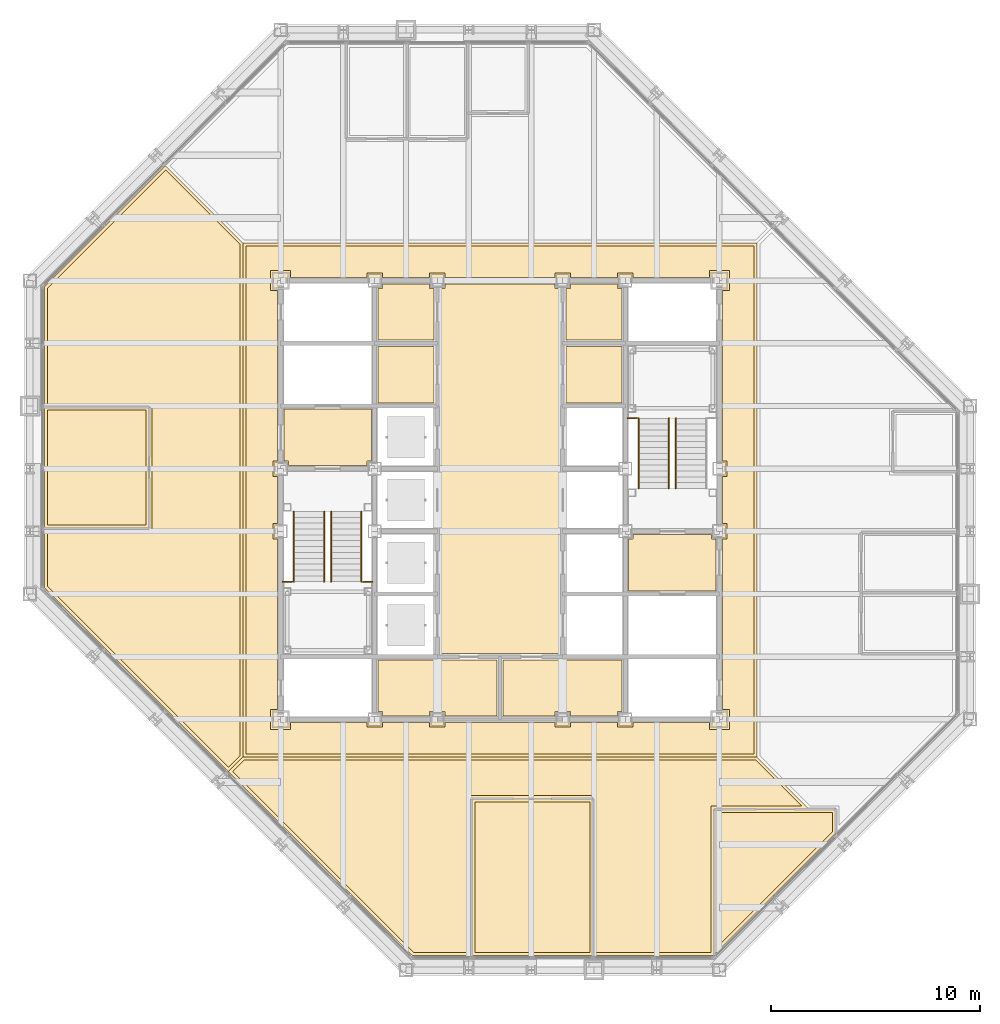
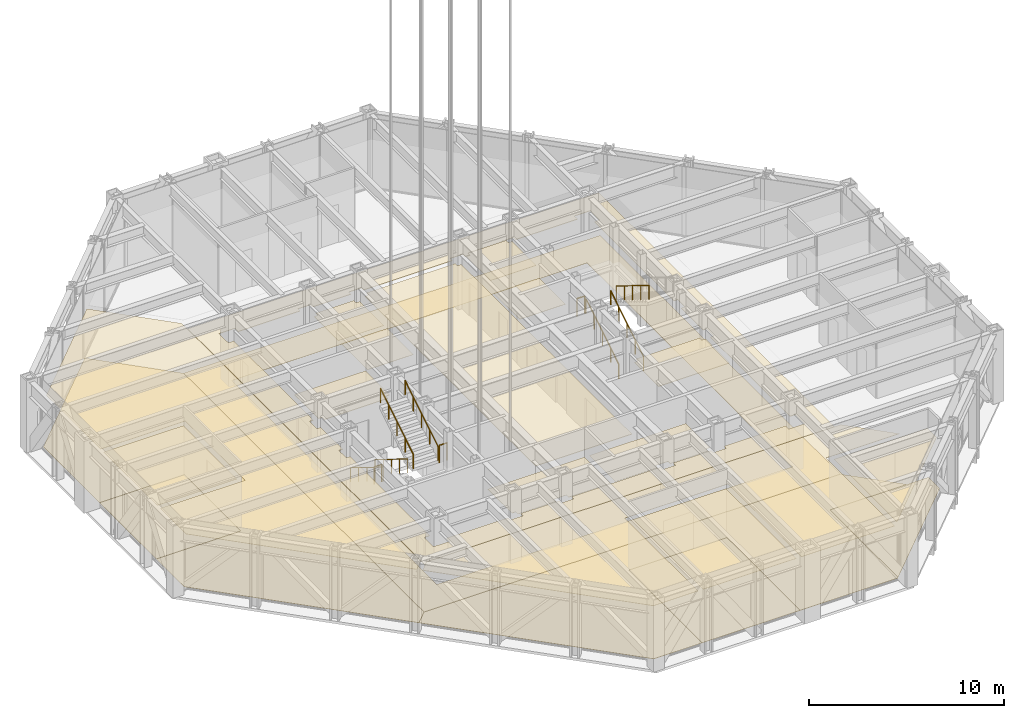
# One storey, part 14 of 24: 21 coverings, 10 railings.
"""IFC4 building model written with IfcOpenShell, lengths in metres."""

from ifc_helpers import new_model, si_unit, direction, frame, origin, origin_2d, place, context, subcontext, project, spatial, polyline, circle, outline, extrude, material, layer, layer_set, type_object, element, save


model = new_model("IFC4")

# Units and contexts
model_context = context("Model", 3, precision=1e-05, world=origin(), true_north=direction((0.0, 1.0)))
body_context = subcontext(model_context, "Body", "Model", "MODEL_VIEW")
ifc_project = project(units=[si_unit("LENGTHUNIT", "METRE"), si_unit("AREAUNIT", "SQUARE_METRE"), si_unit("VOLUMEUNIT", "CUBIC_METRE"), si_unit("PLANEANGLEUNIT", "RADIAN"), si_unit("MASSUNIT", "GRAM", prefix="KILO")], contexts=[model_context])

# Site, building, storey
site_placement = place(None, origin())
site = spatial("IfcSite", under=ifc_project, at=site_placement, CompositionType="ELEMENT")
building_placement = place(site_placement, origin())
building = spatial("IfcBuilding", under=site, at=building_placement, Name="Chuquiago Exchange Tower", CompositionType="ELEMENT")
storey_placement = place(building_placement, frame((0.0, 0.0, 180.0)))
storey = spatial("IfcBuildingStorey", under=building, at=storey_placement, Name="L39", CompositionType="ELEMENT", Elevation=180.0)

# Coverings
ifc_material_1 = material(Name="Mineral fibre tile, 600 x 600, on pale metal grid", Category="mineral fibre")
ifc_layer_1 = layer(ifc_material_1, 0.02001953125)
ifc_layer_set_1 = layer_set([ifc_layer_1], Name="CL1 suspended tile ceiling 20")
covering_type_1 = type_object("IfcCoveringType", Name="CL1 suspended tile ceiling 20", PredefinedType="CEILING", material=ifc_layer_set_1)
covering_1_placement = place(storey_placement, frame((0.0, 0.0, 3.199951171875)))
element("IfcCovering", 1, at=covering_1_placement, inside=storey, type_object=covering_type_1, Name="Ceiling Training room", PredefinedType="CEILING", context=body_context, shape_type="SweptSolid", body=[
    extrude(outline(polyline([(21.299072265625, 8.050048828125), (26.80029296875, 8.050048828125), (26.80029296875, 0.85009765625), (21.299072265625, 0.85009765625), (21.299072265625, 8.050048828125)])), origin(), (0.0, 0.0, 1.0), 0.02001953125),
])
covering_2_placement = place(storey_placement, frame((0.0, 0.0, 3.199951171875)))
element("IfcCovering", 2, at=covering_2_placement, inside=storey, type_object=covering_type_1, Name="Ceiling Broker lounge", PredefinedType="CEILING", context=body_context, shape_type="SweptSolid", body=[
    extrude(outline(polyline([(32.901611328125, 7.550048828125), (38.42578125, 7.550048828125), (38.42578125, 6.627685546875), (32.901611328125, 1.103515625), (32.901611328125, 7.550048828125)])), origin(), (0.0, 0.0, 1.0), 0.02001953125),
])
covering_3_placement = place(storey_placement, frame((0.0, 0.0, 3.199951171875)))
element("IfcCovering", 3, at=covering_3_placement, inside=storey, type_object=covering_type_1, Name="Ceiling Conference room", PredefinedType="CEILING", context=body_context, shape_type="SweptSolid", body=[
    extrude(outline(polyline([(5.550048828125, 26.80029296875), (5.550048828125, 21.299072265625), (0.85009765625, 21.299072265625), (0.85009765625, 26.80029296875), (5.550048828125, 26.80029296875)])), origin(), (0.0, 0.0, 1.0), 0.02001953125),
])
covering_4_placement = place(storey_placement, frame((0.0, 0.0, 3.199951171875)))
element("IfcCovering", 4, at=covering_4_placement, inside=storey, type_object=covering_type_1, Name="Ceiling Business centre", PredefinedType="CEILING", context=body_context, shape_type="SweptSolid", body=[
    extrude(outline(polyline([(27.100341796875, 0.85009765625), (27.100341796875, 8.35009765625), (20.9990234375, 8.35009765625), (20.9990234375, 0.85009765625), (18.35205078125, 0.85009765625), (9.70703125, 9.4951171875), (10.26220703125, 10.050048828125), (34.73779296875, 10.050048828125), (36.93798828125, 7.85009765625), (32.6015625, 7.85009765625), (32.6015625, 0.85009765625), (27.100341796875, 0.85009765625)])), origin(), (0.0, 0.0, 1.0), 0.02001953125),
])
covering_5_placement = place(storey_placement, frame((0.0, 0.0, 3.199951171875)))
element("IfcCovering", 5, at=covering_5_placement, inside=storey, type_object=covering_type_1, Name="Ceiling Member services office", PredefinedType="CEILING", context=body_context, shape_type="SweptSolid", body=[
    extrude(outline(polyline([(0.85009765625, 27.100341796875), (0.85009765625, 32.64794921875), (6.4951171875, 38.29296875), (10.050048828125, 34.73779296875), (10.050048828125, 10.26220703125), (9.4951171875, 9.70703125), (0.85009765625, 18.35205078125), (0.85009765625, 20.9990234375), (5.85009765625, 20.9990234375), (5.85009765625, 27.100341796875), (0.85009765625, 27.100341796875)])), origin(), (0.0, 0.0, 1.0), 0.02001953125),
])
covering_6_placement = place(storey_placement, frame((0.0, 0.0, 3.199951171875)))
element("IfcCovering", 6, at=covering_6_placement, inside=storey, type_object=covering_type_1, Name="Ceiling Baby change room", PredefinedType="CEILING", context=body_context, shape_type="SweptSolid", body=[
    extrude(outline(polyline([(25.64990234375, 30.14990234375), (25.64990234375, 32.625), (25.875, 32.625), (25.875, 32.85009765625), (28.125, 32.85009765625), (28.125, 32.625), (28.35009765625, 32.625), (28.35009765625, 30.14990234375), (25.64990234375, 30.14990234375)])), origin(), (0.0, 0.0, 1.0), 0.02001953125),
])
ifc_material_2 = material(Name="Moisture resistant plasterboard on metal frame", Category="gypsum")
ifc_layer_2 = layer(ifc_material_2, 0.014892578125)
ifc_layer_set_2 = layer_set([ifc_layer_2], Name="CL2 moisture resistant ceiling 15")
covering_type_2 = type_object("IfcCoveringType", Name="CL2 moisture resistant ceiling 15", PredefinedType="CEILING", material=ifc_layer_set_2)
covering_7_placement = place(storey_placement, frame((0.0, 0.0, 2.60009765625)))
element("IfcCovering", 7, at=covering_7_placement, inside=storey, type_object=covering_type_2, Name="Ceiling Male WC", PredefinedType="CEILING", context=body_context, shape_type="SweptSolid", body=[
    extrude(outline(polyline([(16.64990234375, 27.14990234375), (16.64990234375, 29.85009765625), (19.35009765625, 29.85009765625), (19.35009765625, 27.14990234375), (16.64990234375, 27.14990234375)])), origin(), (0.0, 0.0, 1.0), 0.014892578125),
])
covering_8_placement = place(storey_placement, frame((0.0, 0.0, 2.60009765625)))
element("IfcCovering", 8, at=covering_8_placement, inside=storey, type_object=covering_type_2, Name="Ceiling Staff shower room", PredefinedType="CEILING", context=body_context, shape_type="SweptSolid", body=[
    extrude(outline(polyline([(16.64990234375, 30.14990234375), (16.64990234375, 32.625), (16.875, 32.625), (16.875, 32.85009765625), (19.125, 32.85009765625), (19.125, 32.625), (19.35009765625, 32.625), (19.35009765625, 30.14990234375), (16.64990234375, 30.14990234375)])), origin(), (0.0, 0.0, 1.0), 0.014892578125),
])
covering_9_placement = place(storey_placement, frame((0.0, 0.0, 2.60009765625)))
element("IfcCovering", 9, at=covering_9_placement, inside=storey, type_object=covering_type_2, Name="Ceiling Female WC", PredefinedType="CEILING", context=body_context, shape_type="SweptSolid", body=[
    extrude(outline(polyline([(25.64990234375, 27.14990234375), (25.64990234375, 29.85009765625), (28.35009765625, 29.85009765625), (28.35009765625, 27.14990234375), (25.64990234375, 27.14990234375)])), origin(), (0.0, 0.0, 1.0), 0.014892578125),
])
covering_10_placement = place(storey_placement, frame((0.0, 0.0, 2.60009765625)))
element("IfcCovering", 10, at=covering_10_placement, inside=storey, type_object=covering_type_2, Name="Ceiling Accessible WC", PredefinedType="CEILING", context=body_context, shape_type="SweptSolid", body=[
    extrude(outline(polyline([(25.875, 12.14990234375), (25.875, 12.375), (25.125, 12.375), (25.125, 12.14990234375), (22.64990234375, 12.14990234375), (22.64990234375, 14.85009765625), (28.35009765625, 14.85009765625), (28.35009765625, 12.375), (28.125, 12.375), (28.125, 12.14990234375), (25.875, 12.14990234375)])), origin(), (0.0, 0.0, 1.0), 0.014892578125),
])
covering_11_placement = place(storey_placement, frame((0.0, 0.0, 2.60009765625)))
element("IfcCovering", 11, at=covering_11_placement, inside=storey, type_object=covering_type_2, Name="Ceiling Cleaner", PredefinedType="CEILING", context=body_context, shape_type="SweptSolid", body=[
    extrude(outline(polyline([(19.875, 12.14990234375), (19.875, 12.375), (19.125, 12.375), (19.125, 12.14990234375), (16.875, 12.14990234375), (16.875, 12.375), (16.64990234375, 12.375), (16.64990234375, 14.85009765625), (22.35009765625, 14.85009765625), (22.35009765625, 12.14990234375), (19.875, 12.14990234375)])), origin(), (0.0, 0.0, 1.0), 0.014892578125),
])
ifc_material_3 = material(Name="Pale metal plank ceiling, perforated", Category="aluminium")
ifc_layer_3 = layer(ifc_material_3, 0.030029296875)
ifc_layer_set_3 = layer_set([ifc_layer_3], Name="CL3 metal plank ceiling 30")
covering_type_3 = type_object("IfcCoveringType", Name="CL3 metal plank ceiling 30", PredefinedType="CEILING", material=ifc_layer_set_3)
covering_12_placement = place(storey_placement, frame((0.0, 0.0, 2.800048828125)))
element("IfcCovering", 12, at=covering_12_placement, inside=storey, type_object=covering_type_3, Name="Ceiling Sky lobby", PredefinedType="CEILING", context=body_context, shape_type="SweptSolid", body=[
    extrude(outline(polyline([(10.35009765625, 34.64990234375), (34.64990234375, 34.64990234375), (34.64990234375, 10.35009765625), (10.35009765625, 10.35009765625), (10.35009765625, 34.64990234375)]), holes=[polyline([(16.125, 11.85009765625), (16.125, 11.625), (16.875, 11.625), (16.875, 11.85009765625), (19.125, 11.85009765625), (19.125, 11.625), (19.875, 11.625), (19.875, 11.85009765625), (25.125, 11.85009765625), (25.125, 11.625), (25.875, 11.625), (25.875, 11.85009765625), (28.125, 11.85009765625), (28.125, 11.625), (28.875, 11.625), (28.875, 11.85009765625), (32.52490234375, 11.85009765625), (32.52490234375, 11.52490234375), (33.47509765625, 11.52490234375), (33.47509765625, 12.47509765625), (33.14990234375, 12.47509765625), (33.14990234375, 20.625), (33.375, 20.625), (33.375, 21.375), (33.14990234375, 21.375), (33.14990234375, 23.625), (33.375, 23.625), (33.375, 24.375), (33.14990234375, 24.375), (33.14990234375, 32.52490234375), (33.47509765625, 32.52490234375), (33.47509765625, 33.47509765625), (32.52490234375, 33.47509765625), (32.52490234375, 33.14990234375), (28.875, 33.14990234375), (28.875, 33.375), (28.125, 33.375), (28.125, 33.14990234375), (25.875, 33.14990234375), (25.875, 33.375), (25.125, 33.375), (25.125, 33.14990234375), (19.875, 33.14990234375), (19.875, 33.375), (19.125, 33.375), (19.125, 33.14990234375), (16.875, 33.14990234375), (16.875, 33.375), (16.125, 33.375), (16.125, 33.14990234375), (12.47509765625, 33.14990234375), (12.47509765625, 33.47509765625), (11.52490234375, 33.47509765625), (11.52490234375, 32.52490234375), (11.85009765625, 32.52490234375), (11.85009765625, 24.375), (11.625, 24.375), (11.625, 23.625), (11.85009765625, 23.625), (11.85009765625, 21.375), (11.625, 21.375), (11.625, 20.625), (11.85009765625, 20.625), (11.85009765625, 12.47509765625), (11.52490234375, 12.47509765625), (11.52490234375, 11.52490234375), (12.47509765625, 11.52490234375), (12.47509765625, 11.85009765625), (16.125, 11.85009765625)])]), origin(), (0.0, 0.0, 1.0), 0.030029296875),
])
covering_13_placement = place(storey_placement, frame((0.0, 0.0, 2.800048828125)))
element("IfcCovering", 13, at=covering_13_placement, inside=storey, type_object=covering_type_3, Name="Ceiling Lift lobby", PredefinedType="CEILING", context=body_context, shape_type="SweptSolid", body=[
    extrude(outline(polyline([(19.64990234375, 15.14990234375), (19.64990234375, 32.625), (19.875, 32.625), (19.875, 32.85009765625), (25.125, 32.85009765625), (25.125, 32.625), (25.35009765625, 32.625), (25.35009765625, 15.14990234375), (19.64990234375, 15.14990234375)])), origin(), (0.0, 0.0, 1.0), 0.030029296875),
])
covering_14_placement = place(storey_placement, frame((0.0, 0.0, 2.800048828125)))
element("IfcCovering", 14, at=covering_14_placement, inside=storey, type_object=covering_type_3, Name="Ceiling Firefighting lobby", PredefinedType="CEILING", context=body_context, shape_type="SweptSolid", body=[
    extrude(outline(polyline([(12.375, 24.14990234375), (12.375, 24.375), (12.14990234375, 24.375), (12.14990234375, 26.85009765625), (16.35009765625, 26.85009765625), (16.35009765625, 24.375), (16.125, 24.375), (16.125, 24.14990234375), (12.375, 24.14990234375)])), origin(), (0.0, 0.0, 1.0), 0.030029296875),
])
covering_15_placement = place(storey_placement, frame((0.0, 0.0, 2.800048828125)))
element("IfcCovering", 15, at=covering_15_placement, inside=storey, type_object=covering_type_3, Name="Ceiling Firefighting lobby", PredefinedType="CEILING", context=body_context, shape_type="SweptSolid", body=[
    extrude(outline(polyline([(28.64990234375, 18.14990234375), (28.64990234375, 20.625), (28.875, 20.625), (28.875, 20.85009765625), (32.625, 20.85009765625), (32.625, 20.625), (32.85009765625, 20.625), (32.85009765625, 18.14990234375), (28.64990234375, 18.14990234375)])), origin(), (0.0, 0.0, 1.0), 0.030029296875),
])
ifc_material_4 = material(Name="Porcelain floor tile, 600 x 600, on adhesive bed", Category="ceramic")
ifc_layer_4 = layer(ifc_material_4, 0.014892578125)
ifc_layer_set_4 = layer_set([ifc_layer_4], Name="FL2 porcelain tile 15")
covering_type_4 = type_object("IfcCoveringType", Name="FL2 porcelain tile 15", PredefinedType="FLOORING", material=ifc_layer_set_4)
covering_16_placement = place(storey_placement, origin())
element("IfcCovering", 16, at=covering_16_placement, inside=storey, type_object=covering_type_4, Name="Floor finish Training room", PredefinedType="FLOORING", context=body_context, shape_type="SweptSolid", body=[
    extrude(outline(polyline([(21.149169921875, 0.699951171875), (21.149169921875, 8.199951171875), (26.9501953125, 8.199951171875), (26.9501953125, 0.699951171875), (21.149169921875, 0.699951171875)])), origin(), (0.0, 0.0, 1.0), 0.014892578125),
])
covering_17_placement = place(storey_placement, origin())
element("IfcCovering", 17, at=covering_17_placement, inside=storey, type_object=covering_type_4, Name="Floor finish Broker lounge", PredefinedType="FLOORING", context=body_context, shape_type="SweptSolid", body=[
    extrude(outline(polyline([(32.75146484375, 0.741455078125), (32.75146484375, 7.699951171875), (38.57568359375, 7.699951171875), (38.57568359375, 6.565673828125), (32.75146484375, 0.741455078125)])), origin(), (0.0, 0.0, 1.0), 0.014892578125),
])
covering_18_placement = place(storey_placement, origin())
element("IfcCovering", 18, at=covering_18_placement, inside=storey, type_object=covering_type_4, Name="Floor finish Conference room", PredefinedType="FLOORING", context=body_context, shape_type="SweptSolid", body=[
    extrude(outline(polyline([(0.699951171875, 26.9501953125), (5.699951171875, 26.9501953125), (5.699951171875, 21.149169921875), (0.699951171875, 21.149169921875), (0.699951171875, 26.9501953125)])), origin(), (0.0, 0.0, 1.0), 0.014892578125),
])
covering_19_placement = place(storey_placement, origin())
element("IfcCovering", 19, at=covering_19_placement, inside=storey, type_object=covering_type_4, Name="Floor finish Sky lobby", PredefinedType="FLOORING", context=body_context, shape_type="SweptSolid", body=[
    extrude(outline(polyline([(10.199951171875, 10.199951171875), (10.199951171875, 34.800048828125), (34.800048828125, 34.800048828125), (34.800048828125, 10.199951171875), (10.199951171875, 10.199951171875)]), holes=[polyline([(12.0, 12.0), (33.0, 12.0), (33.0, 33.0), (12.0, 33.0), (12.0, 12.0)])]), origin(), (0.0, 0.0, 1.0), 0.014892578125),
])
covering_20_placement = place(storey_placement, origin())
element("IfcCovering", 20, at=covering_20_placement, inside=storey, type_object=covering_type_4, Name="Floor finish Business centre", PredefinedType="FLOORING", context=body_context, shape_type="SweptSolid", body=[
    extrude(outline(polyline([(32.75146484375, 7.699951171875), (32.75146484375, 0.741455078125), (32.710205078125, 0.699951171875), (26.9501953125, 0.699951171875), (26.9501953125, 8.199951171875), (21.149169921875, 8.199951171875), (21.149169921875, 0.699951171875), (18.289794921875, 0.699951171875), (9.4951171875, 9.4951171875), (10.199951171875, 10.199951171875), (34.800048828125, 10.199951171875), (37.300048828125, 7.699951171875), (32.75146484375, 7.699951171875)])), origin(), (0.0, 0.0, 1.0), 0.014892578125),
])
covering_21_placement = place(storey_placement, origin())
element("IfcCovering", 21, at=covering_21_placement, inside=storey, type_object=covering_type_4, Name="Floor finish Member services office", PredefinedType="FLOORING", context=body_context, shape_type="SweptSolid", body=[
    extrude(outline(polyline([(5.699951171875, 26.9501953125), (0.699951171875, 26.9501953125), (0.699951171875, 32.710205078125), (6.4951171875, 38.5048828125), (10.199951171875, 34.800048828125), (10.199951171875, 10.199951171875), (9.4951171875, 9.4951171875), (0.699951171875, 18.289794921875), (0.699951171875, 21.149169921875), (5.699951171875, 21.149169921875), (5.699951171875, 26.9501953125)])), origin(), (0.0, 0.0, 1.0), 0.014892578125),
])

# Railings
ifc_material_5 = material(Name="Pale metal guard with safety glass infill", Category="glass")
railing_type_1 = type_object("IfcRailingType", Name="GR1 guard 1100", PredefinedType="GUARDRAIL", material=ifc_material_5)
for number, where, name in (
    (22, (12.10009765625, 18.590087890625, 2.25), "Guard ST1 L39 landing 2"),
    (23, (15.945068359375, 18.590087890625, 2.25), "Guard ST1 L39 landing 2"),
    (24, (28.60009765625, 26.409912109375, 2.25), "Guard ST2 L39 landing 2"),
):
    element("IfcRailing", number, at=place(storey_placement, frame(where)), inside=storey, type_object=railing_type_1, Name=name, PredefinedType="GUARDRAIL", context=body_context, shape_type="SweptSolid", body=[
        extrude(circle(Radius=0.02392578125, at=origin_2d()), frame((0.0, 0.0, 1.076171875), z_axis=(1.0, 0.0, 0.0), x_axis=(0.0, 1.0, 0.0)), (0.0, 0.0, 1.0), 0.454833984375),
        extrude(circle(Radius=0.02099609375, at=origin_2d()), origin(), (0.0, 0.0, 1.0), 1.052001953125),
        extrude(circle(Radius=0.02099609375, at=origin_2d()), frame((0.454833984375, 0.0, 0.0)), (0.0, 0.0, 1.0), 1.052001953125),
    ])
ifc_material_6 = material(Name="Pale metal handrail", Category="steel")
railing_type_2 = type_object("IfcRailingType", Name="HR1 handrail 900", PredefinedType="HANDRAIL", material=ifc_material_6)
for number, where, name in (
    (25, (12.635009765625, 21.949951171875, 0.173095703125), "Handrail ST1 L39 flight 1"),
    (26, (14.0849609375, 21.949951171875, 0.173095703125), "Handrail ST1 L39 flight 1"),
):
    element("IfcRailing", number, at=place(storey_placement, frame(where)), inside=storey, type_object=railing_type_2, Name=name, PredefinedType="HANDRAIL", context=body_context, shape_type="SweptSolid", body=[
        extrude(circle(Radius=0.02392578125, at=origin_2d()), frame((0.0, 0.0, 0.8759765625), z_axis=(0.0, -0.850606129759, 0.525803396734), x_axis=(1.0, 0.0, 0.0)), (0.0, 0.0, 1.0), 3.949951171875),
        extrude(circle(Radius=0.02099609375, at=origin_2d()), origin(), (0.0, 0.0, 1.0), 0.851806640625),
        extrude(circle(Radius=0.02099609375, at=origin_2d()), frame((0.0, -0.83984375, 0.519287109375)), (0.0, 0.0, 1.0), 0.851806640625),
        extrude(circle(Radius=0.02099609375, at=origin_2d()), frame((0.0, -1.679931640625, 1.03857421875)), (0.0, 0.0, 1.0), 0.851806640625),
        extrude(circle(Radius=0.02099609375, at=origin_2d()), frame((0.0, -2.52001953125, 1.5576171875)), (0.0, 0.0, 1.0), 0.851806640625),
        extrude(circle(Radius=0.02099609375, at=origin_2d()), frame((0.0, -3.35986328125, 2.076904296875)), (0.0, 0.0, 1.0), 0.851806640625),
    ])
for number, where, name in (
    (27, (15.864990234375, 18.590087890625, 2.423095703125), "Handrail ST1 L39 flight 2"),
    (28, (14.4150390625, 18.590087890625, 2.423095703125), "Handrail ST1 L39 flight 2"),
    (29, (30.5849609375, 23.050048828125, 0.173095703125), "Handrail ST2 L39 flight 1"),
    (30, (29.135009765625, 23.050048828125, 0.173095703125), "Handrail ST2 L39 flight 1"),
):
    element("IfcRailing", number, at=place(storey_placement, frame(where)), inside=storey, type_object=railing_type_2, Name=name, PredefinedType="HANDRAIL", context=body_context, shape_type="SweptSolid", body=[
        extrude(circle(Radius=0.02392578125, at=origin_2d()), frame((0.0, 0.0, 0.8759765625), z_axis=(0.0, 0.850606129759, 0.525803396734), x_axis=(-1.0, 0.0, 0.0)), (0.0, 0.0, 1.0), 3.949951171875),
        extrude(circle(Radius=0.02099609375, at=origin_2d()), origin(), (0.0, 0.0, 1.0), 0.851806640625),
        extrude(circle(Radius=0.02099609375, at=origin_2d()), frame((0.0, 0.83984375, 0.519287109375)), (0.0, 0.0, 1.0), 0.851806640625),
        extrude(circle(Radius=0.02099609375, at=origin_2d()), frame((0.0, 1.679931640625, 1.03857421875)), (0.0, 0.0, 1.0), 0.851806640625),
        extrude(circle(Radius=0.02099609375, at=origin_2d()), frame((0.0, 2.52001953125, 1.5576171875)), (0.0, 0.0, 1.0), 0.851806640625),
        extrude(circle(Radius=0.02099609375, at=origin_2d()), frame((0.0, 3.35986328125, 2.076904296875)), (0.0, 0.0, 1.0), 0.851806640625),
    ])
railing_placement = place(storey_placement, frame((30.9150390625, 26.409912109375, 2.423095703125)))
element("IfcRailing", 31, at=railing_placement, inside=storey, type_object=railing_type_2, Name="Handrail ST2 L39 flight 2", PredefinedType="HANDRAIL", context=body_context, shape_type="SweptSolid", body=[
    extrude(circle(Radius=0.02392578125, at=origin_2d()), frame((0.0, 0.0, 0.8759765625), z_axis=(0.0, -0.850606129759, 0.525803396734), x_axis=(1.0, 0.0, 0.0)), (0.0, 0.0, 1.0), 3.949951171875),
    extrude(circle(Radius=0.02099609375, at=origin_2d()), origin(), (0.0, 0.0, 1.0), 0.851806640625),
    extrude(circle(Radius=0.02099609375, at=origin_2d()), frame((0.0, -0.83984375, 0.519287109375)), (0.0, 0.0, 1.0), 0.851806640625),
    extrude(circle(Radius=0.02099609375, at=origin_2d()), frame((0.0, -1.679931640625, 1.03857421875)), (0.0, 0.0, 1.0), 0.851806640625),
    extrude(circle(Radius=0.02099609375, at=origin_2d()), frame((0.0, -2.52001953125, 1.5576171875)), (0.0, 0.0, 1.0), 0.851806640625),
    extrude(circle(Radius=0.02099609375, at=origin_2d()), frame((0.0, -3.35986328125, 2.076904296875)), (0.0, 0.0, 1.0), 0.851806640625),
])

save(model, "model.ifc")
